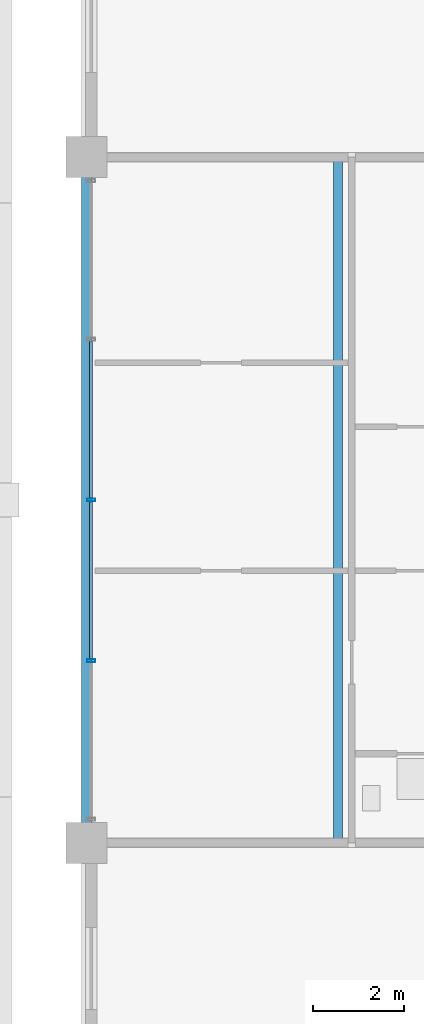
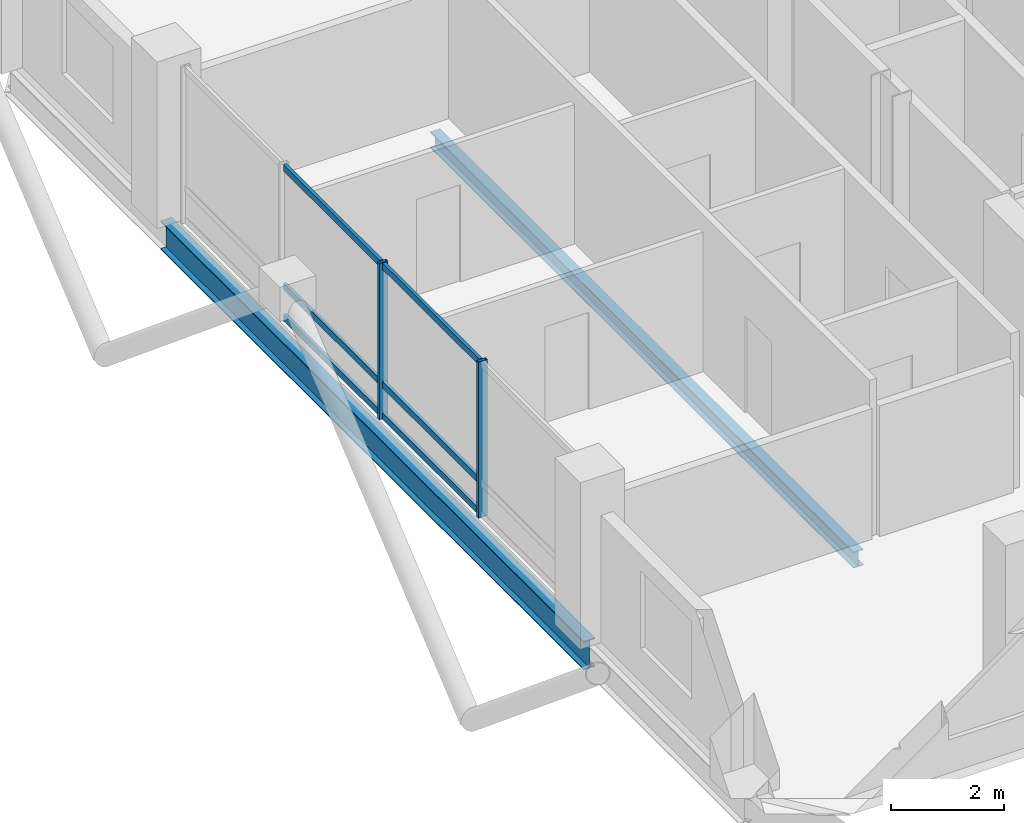
# One storey, part 7 of 23: 8 members, 2 beams, 1 element without a shape of its own.
"""IFC4 building model written with IfcOpenShell, lengths in metres."""

from ifc_helpers import new_model, si_unit, direction, frame, origin, origin_2d, place, context, subcontext, project, spatial, hollow_rectangle, i_section, extrude, material, layer, layer_set, material_profile, profile_set, type_object, element, aggregate, save


model = new_model("IFC4")

# Units and contexts
model_context = context("Model", 3, precision=1e-05, world=origin(), true_north=direction((0.0, 1.0)))
body_context = subcontext(model_context, "Body", "Model", "MODEL_VIEW")
ifc_project = project(units=[si_unit("LENGTHUNIT", "METRE"), si_unit("AREAUNIT", "SQUARE_METRE"), si_unit("VOLUMEUNIT", "CUBIC_METRE"), si_unit("PLANEANGLEUNIT", "RADIAN"), si_unit("MASSUNIT", "GRAM", prefix="KILO")], contexts=[model_context])

# Site, building, storey
site_placement = place(None, origin())
site = spatial("IfcSite", under=ifc_project, at=site_placement, CompositionType="ELEMENT")
building_placement = place(site_placement, origin())
building = spatial("IfcBuilding", under=site, at=building_placement, Name="Barlavira Tower and Art Museum", CompositionType="ELEMENT")
storey_placement = place(building_placement, frame((0.0, 0.0, 247.5)))
storey = spatial("IfcBuildingStorey", under=building, at=storey_placement, Name="L64", CompositionType="ELEMENT", Elevation=247.5)

# Curtain wall, members
ifc_material_1 = material(Name="Low-iron coastal laminated glass", Category="glass")
ifc_layer = layer(ifc_material_1, 0.2099609375, Name="Low-iron coastal laminated glass")
ifc_layer_set = layer_set([ifc_layer], Name="Low-iron coastal laminated glass")
curtain_wall_type = type_object("IfcCurtainWallType", Name="Pale-Metal Unitised Curtain Wall Zone 4", PredefinedType="NOTDEFINED", material=ifc_layer_set)
curtain_wall_placement = place(storey_placement, origin())
curtain_wall = element("IfcCurtainWall", 1, at=curtain_wall_placement, inside=storey, type_object=curtain_wall_type, Name="L64 Curtain Wall CW4-L64-W-B3", PredefinedType="NOTDEFINED")
ifc_material_2 = material(Name="Pale anodised aluminium", Category="aluminium")
ifc_material_profile_1 = material_profile(ifc_material_2, hollow_rectangle(XDim=0.06494140625, YDim=0.179931640625, WallThickness=0.00390625, at=origin_2d()), Name="ALU-MULL 65x180x4")
ifc_profile_set_1 = profile_set([ifc_material_profile_1], Name="Pale anodised aluminium")
member_type_1 = type_object("IfcMemberType", Name="Curtain Wall Pale-Metal Mullion 65x180", PredefinedType="MULLION", material=ifc_profile_set_1)
member_1_placement = place(storey_placement, frame((-16.89990234375, 0.0, 0.0), z_axis=(0.0, 0.0, 1.0), x_axis=(0.0, -1.0, 0.0)))
member_1 = element("IfcMember", 2, at=member_1_placement, type_object=member_type_1, Name="CW4-L64-W-B3 Mullion 2", PredefinedType="MULLION", context=body_context, shape_type="SweptSolid", body=[
    extrude(hollow_rectangle(XDim=0.06494140625, YDim=0.179931640625, WallThickness=0.00390625, at=origin_2d()), origin(), (0.0, 0.0, 1.0), 3.3798828125),
])
member_2_placement = place(storey_placement, frame((-16.89990234375, -3.514892578125, 0.0), z_axis=(0.0, 0.0, 1.0), x_axis=(0.0, -1.0, 0.0)))
member_2 = element("IfcMember", 3, at=member_2_placement, type_object=member_type_1, Name="CW4-L64-W-B3 Mullion 3", PredefinedType="MULLION", context=body_context, shape_type="SweptSolid", body=[
    extrude(hollow_rectangle(XDim=0.06494140625, YDim=0.179931640625, WallThickness=0.00390625, at=origin_2d()), origin(), (0.0, 0.0, 1.0), 3.3798828125),
])
ifc_material_profile_2 = material_profile(ifc_material_2, hollow_rectangle(XDim=0.06494140625, YDim=0.139892578125, WallThickness=0.00390625, at=origin_2d()), Name="ALU-TRAN 65x140x4")
ifc_profile_set_2 = profile_set([ifc_material_profile_2], Name="Pale anodised aluminium")
member_type_2 = type_object("IfcMemberType", Name="Curtain Wall Pale-Metal Transom 65x140", PredefinedType="USERDEFINED", material=ifc_profile_set_2)
member_3_placement = place(storey_placement, frame((-16.89990234375, 3.469970703125, 0.070068359375), z_axis=(0.0, -1.0, 0.0), x_axis=(1.0, 0.0, 0.0)))
member_3 = element("IfcMember", 4, at=member_3_placement, type_object=member_type_2, Name="CW4-L64-W-B3 Transom 1.1", ObjectType="TRANSOM", PredefinedType="USERDEFINED", context=body_context, shape_type="SweptSolid", body=[
    extrude(hollow_rectangle(XDim=0.06494140625, YDim=0.139892578125, WallThickness=0.00390625, at=origin_2d()), origin(), (0.0, 0.0, 1.0), 3.425048828125),
])
member_4_placement = place(storey_placement, frame((-16.89990234375, 3.469970703125, 0.743896484375), z_axis=(0.0, -1.0, 0.0), x_axis=(1.0, 0.0, 0.0)))
member_4 = element("IfcMember", 5, at=member_4_placement, type_object=member_type_2, Name="CW4-L64-W-B3 Transom 1.2", ObjectType="TRANSOM", PredefinedType="USERDEFINED", context=body_context, shape_type="SweptSolid", body=[
    extrude(hollow_rectangle(XDim=0.06494140625, YDim=0.139892578125, WallThickness=0.00390625, at=origin_2d()), origin(), (0.0, 0.0, 1.0), 3.425048828125),
])
member_5_placement = place(storey_placement, frame((-16.89990234375, 3.469970703125, 3.31005859375), z_axis=(0.0, -1.0, 0.0), x_axis=(1.0, 0.0, 0.0)))
member_5 = element("IfcMember", 6, at=member_5_placement, type_object=member_type_2, Name="CW4-L64-W-B3 Transom 1.3", ObjectType="TRANSOM", PredefinedType="USERDEFINED", context=body_context, shape_type="SweptSolid", body=[
    extrude(hollow_rectangle(XDim=0.06494140625, YDim=0.139892578125, WallThickness=0.00390625, at=origin_2d()), origin(), (0.0, 0.0, 1.0), 3.425048828125),
])
member_6_placement = place(storey_placement, frame((-16.89990234375, -0.044921875, 0.070068359375), z_axis=(0.0, -1.0, 0.0), x_axis=(1.0, 0.0, 0.0)))
member_6 = element("IfcMember", 7, at=member_6_placement, type_object=member_type_2, Name="CW4-L64-W-B3 Transom 2.1", ObjectType="TRANSOM", PredefinedType="USERDEFINED", context=body_context, shape_type="SweptSolid", body=[
    extrude(hollow_rectangle(XDim=0.06494140625, YDim=0.139892578125, WallThickness=0.00390625, at=origin_2d()), origin(), (0.0, 0.0, 1.0), 3.425048828125),
])
member_7_placement = place(storey_placement, frame((-16.89990234375, -0.044921875, 0.743896484375), z_axis=(0.0, -1.0, 0.0), x_axis=(1.0, 0.0, 0.0)))
member_7 = element("IfcMember", 8, at=member_7_placement, type_object=member_type_2, Name="CW4-L64-W-B3 Transom 2.2", ObjectType="TRANSOM", PredefinedType="USERDEFINED", context=body_context, shape_type="SweptSolid", body=[
    extrude(hollow_rectangle(XDim=0.06494140625, YDim=0.139892578125, WallThickness=0.00390625, at=origin_2d()), origin(), (0.0, 0.0, 1.0), 3.425048828125),
])
member_8_placement = place(storey_placement, frame((-16.89990234375, -0.044921875, 3.31005859375), z_axis=(0.0, -1.0, 0.0), x_axis=(1.0, 0.0, 0.0)))
member_8 = element("IfcMember", 9, at=member_8_placement, type_object=member_type_2, Name="CW4-L64-W-B3 Transom 2.3", ObjectType="TRANSOM", PredefinedType="USERDEFINED", context=body_context, shape_type="SweptSolid", body=[
    extrude(hollow_rectangle(XDim=0.06494140625, YDim=0.139892578125, WallThickness=0.00390625, at=origin_2d()), origin(), (0.0, 0.0, 1.0), 3.425048828125),
])
aggregate(curtain_wall, [member_1, member_2, member_3, member_4, member_5, member_6, member_7, member_8])

# Beams
ifc_material_3 = material(Name="Steel S355", Category="steel")
ifc_material_profile_3 = material_profile(ifc_material_3, i_section(OverallWidth=0.22998046875, OverallDepth=0.616943359375, WebThickness=0.01318359375, FlangeThickness=0.022216796875, at=origin_2d()), Name="W610x140.0")
ifc_profile_set_3 = profile_set([ifc_material_profile_3], Name="Steel S355")
beam_type_1 = type_object("IfcBeamType", Name="Upper Shaft Spandrel Edge Beam W610x140 Steel S355", PredefinedType="SPANDREL", material=ifc_profile_set_3)
beam_1_placement = place(storey_placement, frame((-17.0, -7.5, -0.528564453125), z_axis=(0.0, 1.0, 0.0), x_axis=(-1.0, 0.0, 0.0)))
element("IfcBeam", 10, at=beam_1_placement, inside=storey, type_object=beam_type_1, Name="L64 Spandrel 14", PredefinedType="SPANDREL", context=body_context, shape_type="SweptSolid", body=[
    extrude(i_section(OverallWidth=0.22998046875, OverallDepth=0.616943359375, WebThickness=0.01318359375, FlangeThickness=0.022216796875, at=origin_2d()), origin(), (0.0, 0.0, 1.0), 15.0),
])
ifc_material_profile_4 = material_profile(ifc_material_3, i_section(OverallWidth=0.202880859375, OverallDepth=0.346923828125, WebThickness=0.0078125, FlangeThickness=0.013427734375, at=origin_2d()), Name="W360x64.0")
ifc_profile_set_4 = profile_set([ifc_material_profile_4], Name="Steel S355")
beam_type_2 = type_object("IfcBeamType", Name="Zone 4 Composite Floor Joist W360x64 Steel S355", PredefinedType="JOIST", material=ifc_profile_set_4)
beam_2_placement = place(storey_placement, frame((-11.5, -7.5, -0.3935546875), z_axis=(0.0, 1.0, 0.0), x_axis=(-1.0, 0.0, 0.0)))
element("IfcBeam", 11, at=beam_2_placement, inside=storey, type_object=beam_type_2, Name="L64 Joist W1", PredefinedType="JOIST", context=body_context, shape_type="SweptSolid", body=[
    extrude(i_section(OverallWidth=0.202880859375, OverallDepth=0.346923828125, WebThickness=0.0078125, FlangeThickness=0.013427734375, at=origin_2d()), origin(), (0.0, 0.0, 1.0), 15.0),
])

save(model, "model.ifc")
